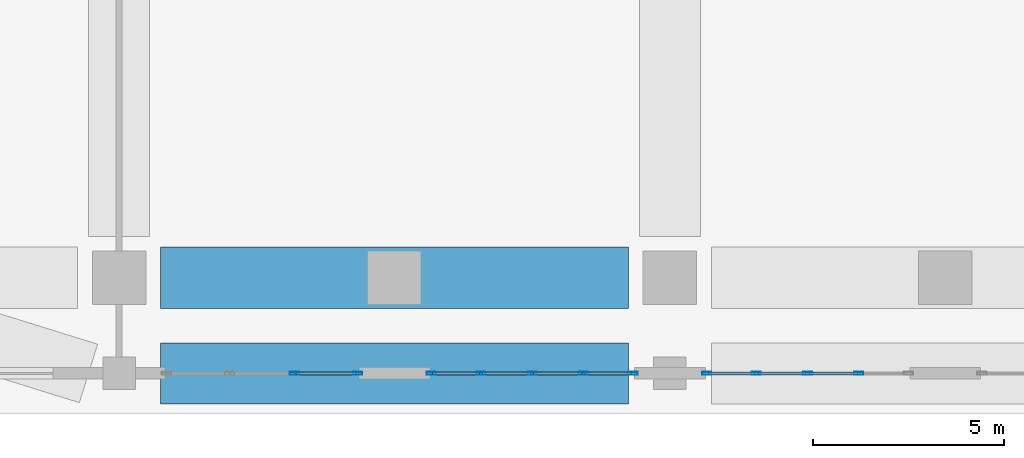
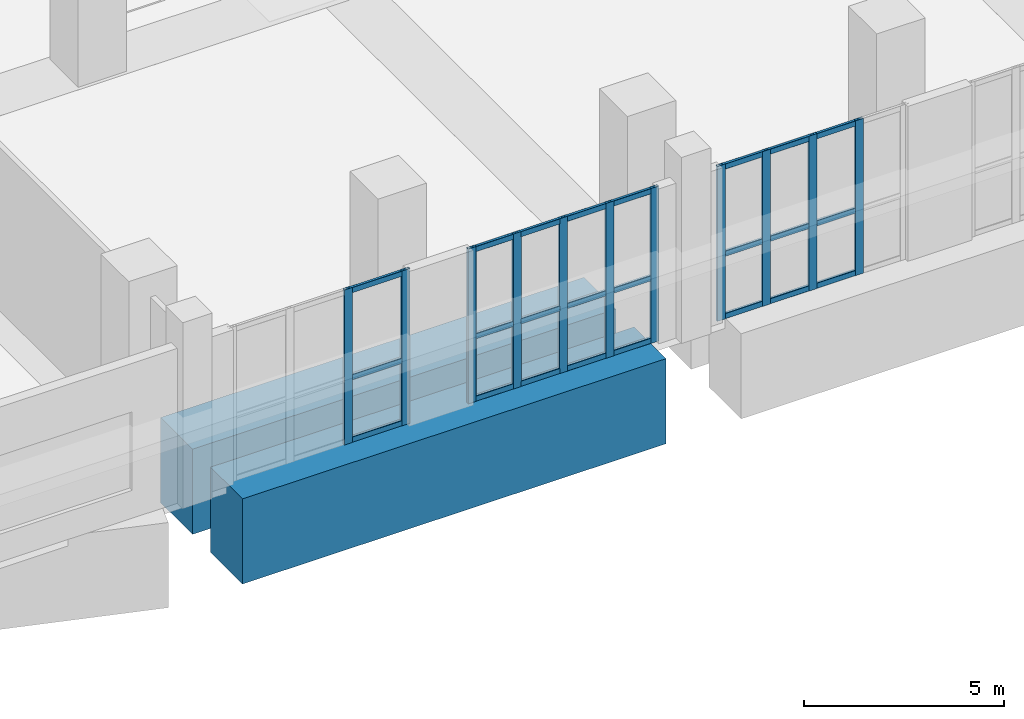
# One storey, part 4 of 25: 35 members, 2 beams, 3 elements without a shape of their own.
"""IFC4 building model written with IfcOpenShell, lengths in metres."""

from ifc_helpers import new_model, si_unit, direction, frame, origin, origin_2d, place, context, subcontext, project, spatial, rectangle, hollow_rectangle, extrude, material, layer, layer_set, material_profile, profile_set, type_object, element, aggregate, save


model = new_model("IFC4")

# Units and contexts
model_context = context("Model", 3, precision=1e-05, world=origin(), true_north=direction((0.0, 1.0)))
body_context = subcontext(model_context, "Body", "Model", "MODEL_VIEW")
ifc_project = project(units=[si_unit("LENGTHUNIT", "METRE"), si_unit("AREAUNIT", "SQUARE_METRE"), si_unit("VOLUMEUNIT", "CUBIC_METRE"), si_unit("PLANEANGLEUNIT", "RADIAN"), si_unit("MASSUNIT", "GRAM", prefix="KILO")], contexts=[model_context])

# Site, building, storey
site_placement = place(None, origin())
site = spatial("IfcSite", under=ifc_project, at=site_placement, CompositionType="ELEMENT")
building_placement = place(site_placement, origin())
building = spatial("IfcBuilding", under=site, at=building_placement, Name="Kaelvorn Grand Hotel", CompositionType="ELEMENT")
storey_placement = place(building_placement, frame((0.0, 0.0, 8.0)))
storey = spatial("IfcBuildingStorey", under=building, at=storey_placement, Name="L01", CompositionType="ELEMENT", Elevation=8.0)

# Beams
ifc_material_1 = material(Name="Concrete C80/95", Category="concrete")
ifc_material_profile_1 = material_profile(ifc_material_1, rectangle(XDim=1.60009765625, YDim=2.60009765625, at=origin_2d()), Name="RC TG 1600x2600")
ifc_profile_set_1 = profile_set([ifc_material_profile_1], Name="Concrete C80/95")
beam_type = type_object("IfcBeamType", Name="BM-TG-1600x2600-C80", PredefinedType="USERDEFINED", material=ifc_profile_set_1)
for number, where, z_axis, x_axis, name in (
    (1, (10.0849609375, -2.5, -1.300048828125), (1.0, 0.0, 0.0), (0.0, 1.0, 0.0), "L01 Pilotis Transfer Girder TGX-S2 01"),
    (2, (10.0849609375, 0.0, -1.300048828125), (1.0, 0.0, 0.0), (0.0, 1.0, 0.0), "L01 Pilotis Transfer Girder TGX-S0 02"),
):
    element("IfcBeam", number, at=place(storey_placement, frame(where, z_axis=z_axis, x_axis=x_axis)), inside=storey, type_object=beam_type, Name=name, ObjectType="TRANSFER GIRDER", PredefinedType="USERDEFINED", context=body_context, shape_type="SweptSolid", body=[
        extrude(rectangle(XDim=1.60009765625, YDim=2.60009765625, at=origin_2d()), origin(), (0.0, 0.0, 1.0), 12.22998046875),
    ])

# Curtain wall, members
ifc_material_2 = material(Name="Anodised Aluminium", Category="aluminium")
ifc_layer = layer(ifc_material_2, 0.239990234375)
ifc_layer_set = layer_set([ifc_layer], Name="Anodised Aluminium")
curtain_wall_type = type_object("IfcCurtainWallType", Name="CW-SYS1", PredefinedType="NOTDEFINED", material=ifc_layer_set)
curtain_wall_1_placement = place(storey_placement, origin())
curtain_wall_1 = element("IfcCurtainWall", 3, at=curtain_wall_1_placement, inside=storey, type_object=curtain_wall_type, Name="L01 Unitised Curtain Wall CW1 (CW-L01-S-01)", PredefinedType="NOTDEFINED")
ifc_material_profile_2 = material_profile(ifc_material_2, hollow_rectangle(XDim=0.080078125, YDim=0.239990234375, WallThickness=0.0048828125, InnerFilletRadius=0.0048828125, OuterFilletRadius=0.010009765625, at=origin_2d()), Name="ALU MULL 80x240")
ifc_profile_set_2 = profile_set([ifc_material_profile_2], Name="Anodised Aluminium")
member_type_1 = type_object("IfcMemberType", Name="CW-SYS1-MULL", PredefinedType="MULLION", material=ifc_profile_set_2)
member_1_placement = place(storey_placement, frame((13.586669921875, -2.5, 0.0), z_axis=(0.0, 0.0, 1.0), x_axis=(0.0, 1.0, 0.0)))
member_1 = element("IfcMember", 4, at=member_1_placement, type_object=member_type_1, Name="CW1 mullion 3", PredefinedType="MULLION", context=body_context, shape_type="SweptSolid", body=[
    extrude(hollow_rectangle(XDim=0.080078125, YDim=0.239990234375, WallThickness=0.0048828125, InnerFilletRadius=0.0048828125, OuterFilletRadius=0.010009765625, at=origin_2d()), origin(), (0.0, 0.0, 1.0), 4.72998046875),
])
member_2_placement = place(storey_placement, frame((15.239990234375, -2.5, 0.0), z_axis=(0.0, 0.0, 1.0), x_axis=(0.0, 1.0, 0.0)))
member_2 = element("IfcMember", 5, at=member_2_placement, type_object=member_type_1, Name="CW1 mullion 4", PredefinedType="MULLION", context=body_context, shape_type="SweptSolid", body=[
    extrude(hollow_rectangle(XDim=0.080078125, YDim=0.239990234375, WallThickness=0.0048828125, InnerFilletRadius=0.0048828125, OuterFilletRadius=0.010009765625, at=origin_2d()), origin(), (0.0, 0.0, 1.0), 4.72998046875),
])

curtain_wall_2_placement = place(storey_placement, origin())
curtain_wall_2 = element("IfcCurtainWall", 6, at=curtain_wall_2_placement, inside=storey, type_object=curtain_wall_type, Name="L01 Unitised Curtain Wall CW1 (CW-L01-S-02)", PredefinedType="NOTDEFINED")
member_3_placement = place(storey_placement, frame((17.159912109375, -2.5, 0.0), z_axis=(0.0, 0.0, 1.0), x_axis=(0.0, 1.0, 0.0)))
member_3 = element("IfcMember", 7, at=member_3_placement, type_object=member_type_1, Name="CW1 mullion 1", PredefinedType="MULLION", context=body_context, shape_type="SweptSolid", body=[
    extrude(hollow_rectangle(XDim=0.080078125, YDim=0.239990234375, WallThickness=0.0048828125, InnerFilletRadius=0.0048828125, OuterFilletRadius=0.010009765625, at=origin_2d()), origin(), (0.0, 0.0, 1.0), 4.72998046875),
])
member_4_placement = place(storey_placement, frame((18.4599609375, -2.5, 0.0), z_axis=(0.0, 0.0, 1.0), x_axis=(0.0, 1.0, 0.0)))
member_4 = element("IfcMember", 8, at=member_4_placement, type_object=member_type_1, Name="CW1 mullion 2", PredefinedType="MULLION", context=body_context, shape_type="SweptSolid", body=[
    extrude(hollow_rectangle(XDim=0.080078125, YDim=0.239990234375, WallThickness=0.0048828125, InnerFilletRadius=0.0048828125, OuterFilletRadius=0.010009765625, at=origin_2d()), origin(), (0.0, 0.0, 1.0), 4.72998046875),
])
member_5_placement = place(storey_placement, frame((19.800048828125, -2.5, 0.0), z_axis=(0.0, 0.0, 1.0), x_axis=(0.0, 1.0, 0.0)))
member_5 = element("IfcMember", 9, at=member_5_placement, type_object=member_type_1, Name="CW1 mullion 3", PredefinedType="MULLION", context=body_context, shape_type="SweptSolid", body=[
    extrude(hollow_rectangle(XDim=0.080078125, YDim=0.239990234375, WallThickness=0.0048828125, InnerFilletRadius=0.0048828125, OuterFilletRadius=0.010009765625, at=origin_2d()), origin(), (0.0, 0.0, 1.0), 4.72998046875),
])
member_6_placement = place(storey_placement, frame((21.139892578125, -2.5, 0.0), z_axis=(0.0, 0.0, 1.0), x_axis=(0.0, 1.0, 0.0)))
member_6 = element("IfcMember", 10, at=member_6_placement, type_object=member_type_1, Name="CW1 mullion 4", PredefinedType="MULLION", context=body_context, shape_type="SweptSolid", body=[
    extrude(hollow_rectangle(XDim=0.080078125, YDim=0.239990234375, WallThickness=0.0048828125, InnerFilletRadius=0.0048828125, OuterFilletRadius=0.010009765625, at=origin_2d()), origin(), (0.0, 0.0, 1.0), 4.72998046875),
])
member_7_placement = place(storey_placement, frame((22.43994140625, -2.5, 0.0), z_axis=(0.0, 0.0, 1.0), x_axis=(0.0, 1.0, 0.0)))
member_7 = element("IfcMember", 11, at=member_7_placement, type_object=member_type_1, Name="CW1 mullion 5", PredefinedType="MULLION", context=body_context, shape_type="SweptSolid", body=[
    extrude(hollow_rectangle(XDim=0.080078125, YDim=0.239990234375, WallThickness=0.0048828125, InnerFilletRadius=0.0048828125, OuterFilletRadius=0.010009765625, at=origin_2d()), origin(), (0.0, 0.0, 1.0), 4.72998046875),
])

curtain_wall_3_placement = place(storey_placement, origin())
curtain_wall_3 = element("IfcCurtainWall", 12, at=curtain_wall_3_placement, inside=storey, type_object=curtain_wall_type, Name="L01 Unitised Curtain Wall CW1 (CW-L01-S-03)", PredefinedType="NOTDEFINED")
member_8_placement = place(storey_placement, frame((24.360107421875, -2.5, 0.0), z_axis=(0.0, 0.0, 1.0), x_axis=(0.0, 1.0, 0.0)))
member_8 = element("IfcMember", 13, at=member_8_placement, type_object=member_type_1, Name="CW1 mullion 1", PredefinedType="MULLION", context=body_context, shape_type="SweptSolid", body=[
    extrude(hollow_rectangle(XDim=0.080078125, YDim=0.239990234375, WallThickness=0.0048828125, InnerFilletRadius=0.0048828125, OuterFilletRadius=0.010009765625, at=origin_2d()), origin(), (0.0, 0.0, 1.0), 4.72998046875),
])
member_9_placement = place(storey_placement, frame((25.659912109375, -2.5, 0.0), z_axis=(0.0, 0.0, 1.0), x_axis=(0.0, 1.0, 0.0)))
member_9 = element("IfcMember", 14, at=member_9_placement, type_object=member_type_1, Name="CW1 mullion 2", PredefinedType="MULLION", context=body_context, shape_type="SweptSolid", body=[
    extrude(hollow_rectangle(XDim=0.080078125, YDim=0.239990234375, WallThickness=0.0048828125, InnerFilletRadius=0.0048828125, OuterFilletRadius=0.010009765625, at=origin_2d()), origin(), (0.0, 0.0, 1.0), 4.72998046875),
])
member_10_placement = place(storey_placement, frame((27.0, -2.5, 0.0), z_axis=(0.0, 0.0, 1.0), x_axis=(0.0, 1.0, 0.0)))
member_10 = element("IfcMember", 15, at=member_10_placement, type_object=member_type_1, Name="CW1 mullion 3", PredefinedType="MULLION", context=body_context, shape_type="SweptSolid", body=[
    extrude(hollow_rectangle(XDim=0.080078125, YDim=0.239990234375, WallThickness=0.0048828125, InnerFilletRadius=0.0048828125, OuterFilletRadius=0.010009765625, at=origin_2d()), origin(), (0.0, 0.0, 1.0), 4.72998046875),
])
member_11_placement = place(storey_placement, frame((28.340087890625, -2.5, 0.0), z_axis=(0.0, 0.0, 1.0), x_axis=(0.0, 1.0, 0.0)))
member_11 = element("IfcMember", 16, at=member_11_placement, type_object=member_type_1, Name="CW1 mullion 4", PredefinedType="MULLION", context=body_context, shape_type="SweptSolid", body=[
    extrude(hollow_rectangle(XDim=0.080078125, YDim=0.239990234375, WallThickness=0.0048828125, InnerFilletRadius=0.0048828125, OuterFilletRadius=0.010009765625, at=origin_2d()), origin(), (0.0, 0.0, 1.0), 4.72998046875),
])

# Member
ifc_material_profile_3 = material_profile(ifc_material_2, hollow_rectangle(XDim=0.080078125, YDim=0.1650390625, WallThickness=0.00439453125, InnerFilletRadius=0.00439453125, OuterFilletRadius=0.009033203125, at=origin_2d()), Name="ALU TRAN 80x165")
ifc_profile_set_3 = profile_set([ifc_material_profile_3], Name="Anodised Aluminium")
member_type_2 = type_object("IfcMemberType", Name="CW-SYS1-TRAN", PredefinedType="NOTDEFINED", material=ifc_profile_set_3)
member_12_placement = place(storey_placement, frame((13.626708984375, -2.5, 0.08251953125), z_axis=(1.0, 0.0, 0.0), x_axis=(0.0, 1.0, 0.0)))
member_12 = element("IfcMember", 17, at=member_12_placement, type_object=member_type_2, Name="CW1 transom 3.1", ObjectType="TRANSOM", PredefinedType="USERDEFINED", context=body_context, shape_type="SweptSolid", body=[
    extrude(hollow_rectangle(XDim=0.080078125, YDim=0.1650390625, WallThickness=0.00439453125, InnerFilletRadius=0.00439453125, OuterFilletRadius=0.009033203125, at=origin_2d()), origin(), (0.0, 0.0, 1.0), 1.5732421875),
])

member_13_placement = place(storey_placement, frame((13.626708984375, -2.5, 1.986572265625), z_axis=(1.0, 0.0, 0.0), x_axis=(0.0, 1.0, 0.0)))
member_13 = element("IfcMember", 18, at=member_13_placement, type_object=member_type_2, Name="CW1 transom 3.2", ObjectType="TRANSOM", PredefinedType="USERDEFINED", context=body_context, shape_type="SweptSolid", body=[
    extrude(hollow_rectangle(XDim=0.080078125, YDim=0.1650390625, WallThickness=0.00439453125, InnerFilletRadius=0.00439453125, OuterFilletRadius=0.009033203125, at=origin_2d()), origin(), (0.0, 0.0, 1.0), 1.5732421875),
])

member_14_placement = place(storey_placement, frame((13.626708984375, -2.5, 4.6474609375), z_axis=(1.0, 0.0, 0.0), x_axis=(0.0, 1.0, 0.0)))
member_14 = element("IfcMember", 19, at=member_14_placement, type_object=member_type_2, Name="CW1 transom 3.3", ObjectType="TRANSOM", PredefinedType="USERDEFINED", context=body_context, shape_type="SweptSolid", body=[
    extrude(hollow_rectangle(XDim=0.080078125, YDim=0.1650390625, WallThickness=0.00439453125, InnerFilletRadius=0.00439453125, OuterFilletRadius=0.009033203125, at=origin_2d()), origin(), (0.0, 0.0, 1.0), 1.5732421875),
])

aggregate(curtain_wall_1, [member_1, member_2, member_12, member_13, member_14])

member_15_placement = place(storey_placement, frame((17.199951171875, -2.5, 0.08251953125), z_axis=(1.0, 0.0, 0.0), x_axis=(0.0, 1.0, 0.0)))
member_15 = element("IfcMember", 20, at=member_15_placement, type_object=member_type_2, Name="CW1 transom 1.1", ObjectType="TRANSOM", PredefinedType="USERDEFINED", context=body_context, shape_type="SweptSolid", body=[
    extrude(hollow_rectangle(XDim=0.080078125, YDim=0.1650390625, WallThickness=0.00439453125, InnerFilletRadius=0.00439453125, OuterFilletRadius=0.009033203125, at=origin_2d()), origin(), (0.0, 0.0, 1.0), 1.219970703125),
])

member_16_placement = place(storey_placement, frame((17.199951171875, -2.5, 1.986572265625), z_axis=(1.0, 0.0, 0.0), x_axis=(0.0, 1.0, 0.0)))
member_16 = element("IfcMember", 21, at=member_16_placement, type_object=member_type_2, Name="CW1 transom 1.2", ObjectType="TRANSOM", PredefinedType="USERDEFINED", context=body_context, shape_type="SweptSolid", body=[
    extrude(hollow_rectangle(XDim=0.080078125, YDim=0.1650390625, WallThickness=0.00439453125, InnerFilletRadius=0.00439453125, OuterFilletRadius=0.009033203125, at=origin_2d()), origin(), (0.0, 0.0, 1.0), 1.219970703125),
])

member_17_placement = place(storey_placement, frame((17.199951171875, -2.5, 4.6474609375), z_axis=(1.0, 0.0, 0.0), x_axis=(0.0, 1.0, 0.0)))
member_17 = element("IfcMember", 22, at=member_17_placement, type_object=member_type_2, Name="CW1 transom 1.3", ObjectType="TRANSOM", PredefinedType="USERDEFINED", context=body_context, shape_type="SweptSolid", body=[
    extrude(hollow_rectangle(XDim=0.080078125, YDim=0.1650390625, WallThickness=0.00439453125, InnerFilletRadius=0.00439453125, OuterFilletRadius=0.009033203125, at=origin_2d()), origin(), (0.0, 0.0, 1.0), 1.219970703125),
])

member_18_placement = place(storey_placement, frame((18.5, -2.5, 0.08251953125), z_axis=(1.0, 0.0, 0.0), x_axis=(0.0, 1.0, 0.0)))
member_18 = element("IfcMember", 23, at=member_18_placement, type_object=member_type_2, Name="CW1 transom 2.1", ObjectType="TRANSOM", PredefinedType="USERDEFINED", context=body_context, shape_type="SweptSolid", body=[
    extrude(hollow_rectangle(XDim=0.080078125, YDim=0.1650390625, WallThickness=0.00439453125, InnerFilletRadius=0.00439453125, OuterFilletRadius=0.009033203125, at=origin_2d()), origin(), (0.0, 0.0, 1.0), 1.260009765625),
])

member_19_placement = place(storey_placement, frame((18.5, -2.5, 1.986572265625), z_axis=(1.0, 0.0, 0.0), x_axis=(0.0, 1.0, 0.0)))
member_19 = element("IfcMember", 24, at=member_19_placement, type_object=member_type_2, Name="CW1 transom 2.2", ObjectType="TRANSOM", PredefinedType="USERDEFINED", context=body_context, shape_type="SweptSolid", body=[
    extrude(hollow_rectangle(XDim=0.080078125, YDim=0.1650390625, WallThickness=0.00439453125, InnerFilletRadius=0.00439453125, OuterFilletRadius=0.009033203125, at=origin_2d()), origin(), (0.0, 0.0, 1.0), 1.260009765625),
])

member_20_placement = place(storey_placement, frame((18.5, -2.5, 4.6474609375), z_axis=(1.0, 0.0, 0.0), x_axis=(0.0, 1.0, 0.0)))
member_20 = element("IfcMember", 25, at=member_20_placement, type_object=member_type_2, Name="CW1 transom 2.3", ObjectType="TRANSOM", PredefinedType="USERDEFINED", context=body_context, shape_type="SweptSolid", body=[
    extrude(hollow_rectangle(XDim=0.080078125, YDim=0.1650390625, WallThickness=0.00439453125, InnerFilletRadius=0.00439453125, OuterFilletRadius=0.009033203125, at=origin_2d()), origin(), (0.0, 0.0, 1.0), 1.260009765625),
])

member_21_placement = place(storey_placement, frame((19.840087890625, -2.5, 0.08251953125), z_axis=(1.0, 0.0, 0.0), x_axis=(0.0, 1.0, 0.0)))
member_21 = element("IfcMember", 26, at=member_21_placement, type_object=member_type_2, Name="CW1 transom 3.1", ObjectType="TRANSOM", PredefinedType="USERDEFINED", context=body_context, shape_type="SweptSolid", body=[
    extrude(hollow_rectangle(XDim=0.080078125, YDim=0.1650390625, WallThickness=0.00439453125, InnerFilletRadius=0.00439453125, OuterFilletRadius=0.009033203125, at=origin_2d()), origin(), (0.0, 0.0, 1.0), 1.260009765625),
])

member_22_placement = place(storey_placement, frame((19.840087890625, -2.5, 1.986572265625), z_axis=(1.0, 0.0, 0.0), x_axis=(0.0, 1.0, 0.0)))
member_22 = element("IfcMember", 27, at=member_22_placement, type_object=member_type_2, Name="CW1 transom 3.2", ObjectType="TRANSOM", PredefinedType="USERDEFINED", context=body_context, shape_type="SweptSolid", body=[
    extrude(hollow_rectangle(XDim=0.080078125, YDim=0.1650390625, WallThickness=0.00439453125, InnerFilletRadius=0.00439453125, OuterFilletRadius=0.009033203125, at=origin_2d()), origin(), (0.0, 0.0, 1.0), 1.260009765625),
])

member_23_placement = place(storey_placement, frame((19.840087890625, -2.5, 4.6474609375), z_axis=(1.0, 0.0, 0.0), x_axis=(0.0, 1.0, 0.0)))
member_23 = element("IfcMember", 28, at=member_23_placement, type_object=member_type_2, Name="CW1 transom 3.3", ObjectType="TRANSOM", PredefinedType="USERDEFINED", context=body_context, shape_type="SweptSolid", body=[
    extrude(hollow_rectangle(XDim=0.080078125, YDim=0.1650390625, WallThickness=0.00439453125, InnerFilletRadius=0.00439453125, OuterFilletRadius=0.009033203125, at=origin_2d()), origin(), (0.0, 0.0, 1.0), 1.260009765625),
])

member_24_placement = place(storey_placement, frame((21.179931640625, -2.5, 0.08251953125), z_axis=(1.0, 0.0, 0.0), x_axis=(0.0, 1.0, 0.0)))
member_24 = element("IfcMember", 29, at=member_24_placement, type_object=member_type_2, Name="CW1 transom 4.1", ObjectType="TRANSOM", PredefinedType="USERDEFINED", context=body_context, shape_type="SweptSolid", body=[
    extrude(hollow_rectangle(XDim=0.080078125, YDim=0.1650390625, WallThickness=0.00439453125, InnerFilletRadius=0.00439453125, OuterFilletRadius=0.009033203125, at=origin_2d()), origin(), (0.0, 0.0, 1.0), 1.219970703125),
])

member_25_placement = place(storey_placement, frame((21.179931640625, -2.5, 1.986572265625), z_axis=(1.0, 0.0, 0.0), x_axis=(0.0, 1.0, 0.0)))
member_25 = element("IfcMember", 30, at=member_25_placement, type_object=member_type_2, Name="CW1 transom 4.2", ObjectType="TRANSOM", PredefinedType="USERDEFINED", context=body_context, shape_type="SweptSolid", body=[
    extrude(hollow_rectangle(XDim=0.080078125, YDim=0.1650390625, WallThickness=0.00439453125, InnerFilletRadius=0.00439453125, OuterFilletRadius=0.009033203125, at=origin_2d()), origin(), (0.0, 0.0, 1.0), 1.219970703125),
])

member_26_placement = place(storey_placement, frame((21.179931640625, -2.5, 4.6474609375), z_axis=(1.0, 0.0, 0.0), x_axis=(0.0, 1.0, 0.0)))
member_26 = element("IfcMember", 31, at=member_26_placement, type_object=member_type_2, Name="CW1 transom 4.3", ObjectType="TRANSOM", PredefinedType="USERDEFINED", context=body_context, shape_type="SweptSolid", body=[
    extrude(hollow_rectangle(XDim=0.080078125, YDim=0.1650390625, WallThickness=0.00439453125, InnerFilletRadius=0.00439453125, OuterFilletRadius=0.009033203125, at=origin_2d()), origin(), (0.0, 0.0, 1.0), 1.219970703125),
])

aggregate(curtain_wall_2, [member_3, member_4, member_5, member_6, member_7, member_15, member_16, member_17, member_18, member_19, member_20, member_21, member_22, member_23, member_24, member_25, member_26])

member_27_placement = place(storey_placement, frame((24.39990234375, -2.5, 0.08251953125), z_axis=(1.0, 0.0, 0.0), x_axis=(0.0, 1.0, 0.0)))
member_27 = element("IfcMember", 32, at=member_27_placement, type_object=member_type_2, Name="CW1 transom 1.1", ObjectType="TRANSOM", PredefinedType="USERDEFINED", context=body_context, shape_type="SweptSolid", body=[
    extrude(hollow_rectangle(XDim=0.080078125, YDim=0.1650390625, WallThickness=0.00439453125, InnerFilletRadius=0.00439453125, OuterFilletRadius=0.009033203125, at=origin_2d()), origin(), (0.0, 0.0, 1.0), 1.22021484375),
])

member_28_placement = place(storey_placement, frame((24.39990234375, -2.5, 1.986572265625), z_axis=(1.0, 0.0, 0.0), x_axis=(0.0, 1.0, 0.0)))
member_28 = element("IfcMember", 33, at=member_28_placement, type_object=member_type_2, Name="CW1 transom 1.2", ObjectType="TRANSOM", PredefinedType="USERDEFINED", context=body_context, shape_type="SweptSolid", body=[
    extrude(hollow_rectangle(XDim=0.080078125, YDim=0.1650390625, WallThickness=0.00439453125, InnerFilletRadius=0.00439453125, OuterFilletRadius=0.009033203125, at=origin_2d()), origin(), (0.0, 0.0, 1.0), 1.22021484375),
])

member_29_placement = place(storey_placement, frame((24.39990234375, -2.5, 4.6474609375), z_axis=(1.0, 0.0, 0.0), x_axis=(0.0, 1.0, 0.0)))
member_29 = element("IfcMember", 34, at=member_29_placement, type_object=member_type_2, Name="CW1 transom 1.3", ObjectType="TRANSOM", PredefinedType="USERDEFINED", context=body_context, shape_type="SweptSolid", body=[
    extrude(hollow_rectangle(XDim=0.080078125, YDim=0.1650390625, WallThickness=0.00439453125, InnerFilletRadius=0.00439453125, OuterFilletRadius=0.009033203125, at=origin_2d()), origin(), (0.0, 0.0, 1.0), 1.22021484375),
])

member_30_placement = place(storey_placement, frame((25.699951171875, -2.5, 0.08251953125), z_axis=(1.0, 0.0, 0.0), x_axis=(0.0, 1.0, 0.0)))
member_30 = element("IfcMember", 35, at=member_30_placement, type_object=member_type_2, Name="CW1 transom 2.1", ObjectType="TRANSOM", PredefinedType="USERDEFINED", context=body_context, shape_type="SweptSolid", body=[
    extrude(hollow_rectangle(XDim=0.080078125, YDim=0.1650390625, WallThickness=0.00439453125, InnerFilletRadius=0.00439453125, OuterFilletRadius=0.009033203125, at=origin_2d()), origin(), (0.0, 0.0, 1.0), 1.260009765625),
])

member_31_placement = place(storey_placement, frame((25.699951171875, -2.5, 1.986572265625), z_axis=(1.0, 0.0, 0.0), x_axis=(0.0, 1.0, 0.0)))
member_31 = element("IfcMember", 36, at=member_31_placement, type_object=member_type_2, Name="CW1 transom 2.2", ObjectType="TRANSOM", PredefinedType="USERDEFINED", context=body_context, shape_type="SweptSolid", body=[
    extrude(hollow_rectangle(XDim=0.080078125, YDim=0.1650390625, WallThickness=0.00439453125, InnerFilletRadius=0.00439453125, OuterFilletRadius=0.009033203125, at=origin_2d()), origin(), (0.0, 0.0, 1.0), 1.260009765625),
])

member_32_placement = place(storey_placement, frame((25.699951171875, -2.5, 4.6474609375), z_axis=(1.0, 0.0, 0.0), x_axis=(0.0, 1.0, 0.0)))
member_32 = element("IfcMember", 37, at=member_32_placement, type_object=member_type_2, Name="CW1 transom 2.3", ObjectType="TRANSOM", PredefinedType="USERDEFINED", context=body_context, shape_type="SweptSolid", body=[
    extrude(hollow_rectangle(XDim=0.080078125, YDim=0.1650390625, WallThickness=0.00439453125, InnerFilletRadius=0.00439453125, OuterFilletRadius=0.009033203125, at=origin_2d()), origin(), (0.0, 0.0, 1.0), 1.260009765625),
])

member_33_placement = place(storey_placement, frame((27.0400390625, -2.5, 0.08251953125), z_axis=(1.0, 0.0, 0.0), x_axis=(0.0, 1.0, 0.0)))
member_33 = element("IfcMember", 38, at=member_33_placement, type_object=member_type_2, Name="CW1 transom 3.1", ObjectType="TRANSOM", PredefinedType="USERDEFINED", context=body_context, shape_type="SweptSolid", body=[
    extrude(hollow_rectangle(XDim=0.080078125, YDim=0.1650390625, WallThickness=0.00439453125, InnerFilletRadius=0.00439453125, OuterFilletRadius=0.009033203125, at=origin_2d()), origin(), (0.0, 0.0, 1.0), 1.260009765625),
])

member_34_placement = place(storey_placement, frame((27.0400390625, -2.5, 1.986572265625), z_axis=(1.0, 0.0, 0.0), x_axis=(0.0, 1.0, 0.0)))
member_34 = element("IfcMember", 39, at=member_34_placement, type_object=member_type_2, Name="CW1 transom 3.2", ObjectType="TRANSOM", PredefinedType="USERDEFINED", context=body_context, shape_type="SweptSolid", body=[
    extrude(hollow_rectangle(XDim=0.080078125, YDim=0.1650390625, WallThickness=0.00439453125, InnerFilletRadius=0.00439453125, OuterFilletRadius=0.009033203125, at=origin_2d()), origin(), (0.0, 0.0, 1.0), 1.260009765625),
])

member_35_placement = place(storey_placement, frame((27.0400390625, -2.5, 4.6474609375), z_axis=(1.0, 0.0, 0.0), x_axis=(0.0, 1.0, 0.0)))
member_35 = element("IfcMember", 40, at=member_35_placement, type_object=member_type_2, Name="CW1 transom 3.3", ObjectType="TRANSOM", PredefinedType="USERDEFINED", context=body_context, shape_type="SweptSolid", body=[
    extrude(hollow_rectangle(XDim=0.080078125, YDim=0.1650390625, WallThickness=0.00439453125, InnerFilletRadius=0.00439453125, OuterFilletRadius=0.009033203125, at=origin_2d()), origin(), (0.0, 0.0, 1.0), 1.260009765625),
])

aggregate(curtain_wall_3, [member_8, member_9, member_10, member_11, member_27, member_28, member_29, member_30, member_31, member_32, member_33, member_34, member_35])

save(model, "model.ifc")
